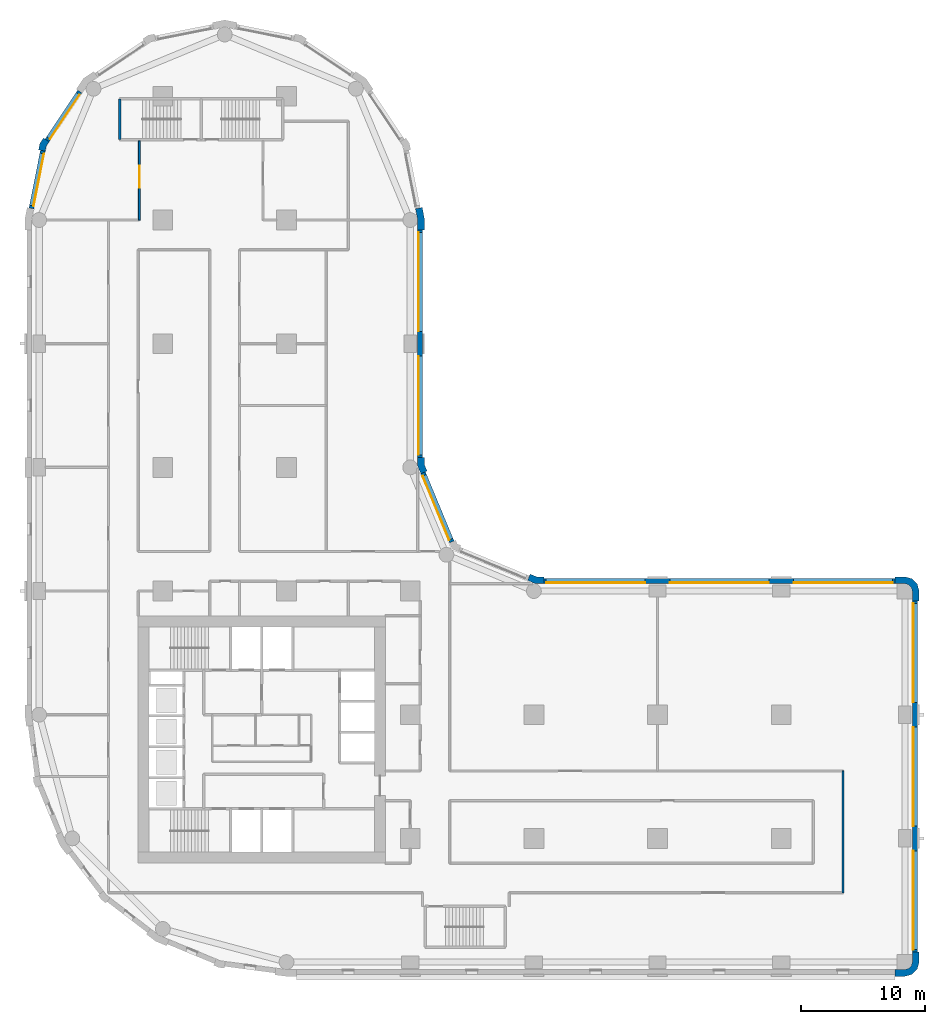
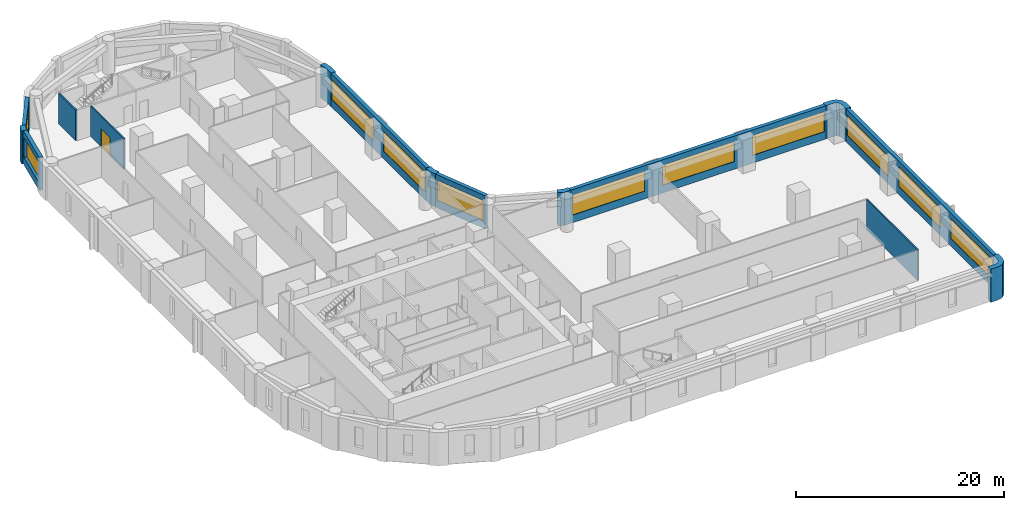
# One storey, part 6 of 10: 15 walls, 11 windows, 1 door, 12 openings.
"""IFC4 building model written with IfcOpenShell, lengths in metres."""

from ifc_helpers import new_model, si_unit, direction, frame, frame_2d, origin, place, context, subcontext, project, spatial, polyline, rectangle, outline, extrude, material, layer, layer_set, type_object, element, fill, save


model = new_model("IFC4")

# Units and contexts
model_context = context("Model", 3, precision=1e-05, world=origin(), true_north=direction((0.0, 1.0)))
body_context = subcontext(model_context, "Body", "Model", "MODEL_VIEW")
ifc_project = project(units=[si_unit("LENGTHUNIT", "METRE"), si_unit("AREAUNIT", "SQUARE_METRE"), si_unit("VOLUMEUNIT", "CUBIC_METRE"), si_unit("PLANEANGLEUNIT", "RADIAN"), si_unit("MASSUNIT", "GRAM", prefix="KILO")], contexts=[model_context])

# Site, building, storey
site_placement = place(None, origin())
site = spatial("IfcSite", under=ifc_project, at=site_placement, CompositionType="ELEMENT")
building_placement = place(site_placement, origin())
building = spatial("IfcBuilding", under=site, at=building_placement, Name="Qaws Garden Tower", CompositionType="ELEMENT")
storey_placement = place(building_placement, frame((0.0, 0.0, 62.699951171875)))
storey = spatial("IfcBuildingStorey", under=building, at=storey_placement, Name="L15", CompositionType="ELEMENT", Elevation=62.699951171875)

# Walls
ifc_material_1 = material(Name="Clay facing brick masonry", Category="masonry")
ifc_layer_1 = layer(ifc_material_1, 0.550048828125)
ifc_layer_set_1 = layer_set([ifc_layer_1], Name="Clay facing brick masonry")
wall_type_1 = type_object("IfcWallType", Name="Brick corner pier 550 x 2400", PredefinedType="SOLIDWALL", material=ifc_layer_set_1)
placement = place(storey_placement, origin())
element("IfcWall", 1, at=placement, inside=storey, type_object=wall_type_1, Name="E-L15-pier-05", PredefinedType="SOLIDWALL", context=body_context, shape_type="SweptSolid", body=[
    extrude(outline(polyline([(69.199951171875, -1.0), (69.199951171875, -1.14990234375), (70.0, -1.14990234375), (70.574951171875, -0.995849609375), (70.995849609375, -0.574951171875), (71.14990234375, 0.0), (71.14990234375, 0.800048828125), (71.0, 0.800048828125), (70.60009765625, 0.800048828125), (70.60009765625, 0.0), (70.51953125, -0.300048828125), (70.300048828125, -0.51953125), (70.0, -0.60009765625), (69.199951171875, -0.60009765625), (69.199951171875, -1.0)])), origin(), (0.0, 0.0, 1.0), 3.900146484375),
])
element("IfcWall", 2, at=placement, inside=storey, type_object=wall_type_1, Name="E-L15-pier-08", PredefinedType="SOLIDWALL", context=body_context, shape_type="SweptSolid", body=[
    extrude(outline(polyline([(71.0, 29.199951171875), (71.14990234375, 29.199951171875), (71.14990234375, 30.0), (70.995849609375, 30.574951171875), (70.574951171875, 30.995849609375), (70.0, 31.14990234375), (69.199951171875, 31.14990234375), (69.199951171875, 31.0), (69.199951171875, 30.60009765625), (70.0, 30.60009765625), (70.300048828125, 30.51953125), (70.51953125, 30.300048828125), (70.60009765625, 30.0), (70.60009765625, 29.199951171875), (71.0, 29.199951171875)])), origin(), (0.0, 0.0, 1.0), 3.900146484375),
])

# Wall, openings, windows
ifc_material_2 = material(Name="Clay facing brick masonry", Category="masonry")
ifc_layer_2 = layer(ifc_material_2, 0.39990234375)
ifc_layer_set_2 = layer_set([ifc_layer_2], Name="Clay facing brick masonry")
wall_type_2 = type_object("IfcWallType", Name="Brick infill wall 400", PredefinedType="SOLIDWALL", material=ifc_layer_set_2)
wall_3_placement = place(storey_placement, frame((70.800048828125, 0.800048828125, 0.0), z_axis=(0.0, 0.0, 1.0), x_axis=(0.0, 1.0, 0.0)))
wall_3 = element("IfcWall", 3, at=wall_3_placement, inside=storey, type_object=wall_type_2, Name="E-L15-infill-05", PredefinedType="SOLIDWALL", context=body_context, shape_type="SweptSolid", body=[
    extrude(rectangle(XDim=28.39990234375, YDim=0.39990234375, at=frame_2d((14.199951171875, 0.0))), origin(), (0.0, 0.0, 1.0), 3.900146484375),
])
opening_1_placement = place(wall_3_placement, frame((0.199951171875, 0.0, 0.89990234375)))
opening_1 = element("IfcOpeningElement", 4, at=opening_1_placement, cuts=wall_3, Name="Opening W01", PredefinedType="OPENING", context=body_context, shape_type="SweptSolid", body=[
    extrude(rectangle(XDim=8.0, YDim=2.35009765625, at=frame_2d((4.0, 1.175048828125))), frame((0.0, 0.2099609375, 0.0), z_axis=(0.0, -1.0, 0.0), x_axis=(1.0, 0.0, 0.0)), (0.0, 0.0, 1.0), 0.419921875),
])
opening_2_placement = place(wall_3_placement, frame((10.199951171875, 0.0, 0.89990234375)))
opening_2 = element("IfcOpeningElement", 5, at=opening_2_placement, cuts=wall_3, Name="Opening W01", PredefinedType="OPENING", context=body_context, shape_type="SweptSolid", body=[
    extrude(rectangle(XDim=8.0, YDim=2.35009765625, at=frame_2d((4.0, 1.175048828125))), frame((0.0, 0.2099609375, 0.0), z_axis=(0.0, -1.0, 0.0), x_axis=(1.0, 0.0, 0.0)), (0.0, 0.0, 1.0), 0.419921875),
])
opening_3_placement = place(wall_3_placement, frame((20.199951171875, 0.0, 0.89990234375)))
opening_3 = element("IfcOpeningElement", 6, at=opening_3_placement, cuts=wall_3, Name="Opening W01", PredefinedType="OPENING", context=body_context, shape_type="SweptSolid", body=[
    extrude(rectangle(XDim=8.0, YDim=2.35009765625, at=frame_2d((4.0, 1.175048828125))), frame((0.0, 0.2099609375, 0.0), z_axis=(0.0, -1.0, 0.0), x_axis=(1.0, 0.0, 0.0)), (0.0, 0.0, 1.0), 0.419921875),
])
ifc_material_3 = material(Name="Aluminium framed window, clear glazing", Category="aluminium")
window_type_1 = type_object("IfcWindowType", Name="Ribbon window 8000 x 2350", PartitioningType="DOUBLE_PANEL_VERTICAL", PredefinedType="WINDOW", material=ifc_material_3)
window_1_placement = place(opening_1_placement, origin())
window_1 = element("IfcWindow", 7, at=window_1_placement, inside=storey, type_object=window_type_1, Name="E-L15-window-05-0", OverallHeight=2.35009765625, OverallWidth=8.0, PartitioningType="SINGLE_PANEL", PredefinedType="WINDOW", context=body_context, shape_type="SweptSolid", body=[
    extrude(rectangle(XDim=8.0, YDim=2.35009765625, at=frame_2d((4.0, 1.175048828125))), frame((0.0, 0.159912109375, 0.0), z_axis=(0.0, -1.0, 0.0), x_axis=(1.0, 0.0, 0.0)), (0.0, 0.0, 1.0), 0.06005859375),
])
fill(opening_1, window_1)
window_2_placement = place(opening_2_placement, origin())
window_2 = element("IfcWindow", 8, at=window_2_placement, inside=storey, type_object=window_type_1, Name="E-L15-window-06-0", OverallHeight=2.35009765625, OverallWidth=8.0, PartitioningType="SINGLE_PANEL", PredefinedType="WINDOW", context=body_context, shape_type="SweptSolid", body=[
    extrude(rectangle(XDim=8.0, YDim=2.35009765625, at=frame_2d((4.0, 1.175048828125))), frame((0.0, 0.159912109375, 0.0), z_axis=(0.0, -1.0, 0.0), x_axis=(1.0, 0.0, 0.0)), (0.0, 0.0, 1.0), 0.06005859375),
])
fill(opening_2, window_2)
window_3_placement = place(opening_3_placement, origin())
window_3 = element("IfcWindow", 9, at=window_3_placement, inside=storey, type_object=window_type_1, Name="E-L15-window-07-0", OverallHeight=2.35009765625, OverallWidth=8.0, PartitioningType="SINGLE_PANEL", PredefinedType="WINDOW", context=body_context, shape_type="SweptSolid", body=[
    extrude(rectangle(XDim=8.0, YDim=2.35009765625, at=frame_2d((4.0, 1.175048828125))), frame((0.0, 0.159912109375, 0.0), z_axis=(0.0, -1.0, 0.0), x_axis=(1.0, 0.0, 0.0)), (0.0, 0.0, 1.0), 0.06005859375),
])
fill(opening_3, window_3)

wall_4_placement = place(storey_placement, frame((69.199951171875, 30.800048828125, 0.0), z_axis=(0.0, 0.0, 1.0), x_axis=(-1.0, 0.0, 0.0)))
wall_4 = element("IfcWall", 10, at=wall_4_placement, inside=storey, type_object=wall_type_2, Name="E-L15-infill-08", PredefinedType="SOLIDWALL", context=body_context, shape_type="SweptSolid", body=[
    extrude(rectangle(XDim=28.39990234375, YDim=0.39990234375, at=frame_2d((14.199951171875, 0.0))), origin(), (0.0, 0.0, 1.0), 3.900146484375),
])
opening_4_placement = place(wall_4_placement, frame((0.199951171875, 0.0, 0.89990234375)))
opening_4 = element("IfcOpeningElement", 11, at=opening_4_placement, cuts=wall_4, Name="Opening W01", PredefinedType="OPENING", context=body_context, shape_type="SweptSolid", body=[
    extrude(rectangle(XDim=8.0, YDim=2.35009765625, at=frame_2d((4.0, 1.175048828125))), frame((0.0, 0.2099609375, 0.0), z_axis=(0.0, -1.0, 0.0), x_axis=(1.0, 0.0, 0.0)), (0.0, 0.0, 1.0), 0.419921875),
])
opening_5_placement = place(wall_4_placement, frame((10.199951171875, 0.0, 0.89990234375)))
opening_5 = element("IfcOpeningElement", 12, at=opening_5_placement, cuts=wall_4, Name="Opening W01", PredefinedType="OPENING", context=body_context, shape_type="SweptSolid", body=[
    extrude(rectangle(XDim=8.0, YDim=2.35009765625, at=frame_2d((4.0, 1.175048828125))), frame((0.0, 0.2099609375, 0.0), z_axis=(0.0, -1.0, 0.0), x_axis=(1.0, 0.0, 0.0)), (0.0, 0.0, 1.0), 0.419921875),
])
opening_6_placement = place(wall_4_placement, frame((20.199951171875, 0.0, 0.89990234375)))
opening_6 = element("IfcOpeningElement", 13, at=opening_6_placement, cuts=wall_4, Name="Opening W01", PredefinedType="OPENING", context=body_context, shape_type="SweptSolid", body=[
    extrude(rectangle(XDim=8.0, YDim=2.35009765625, at=frame_2d((4.0, 1.175048828125))), frame((0.0, 0.2099609375, 0.0), z_axis=(0.0, -1.0, 0.0), x_axis=(1.0, 0.0, 0.0)), (0.0, 0.0, 1.0), 0.419921875),
])
window_4_placement = place(opening_4_placement, origin())
window_4 = element("IfcWindow", 14, at=window_4_placement, inside=storey, type_object=window_type_1, Name="E-L15-window-08-0", OverallHeight=2.35009765625, OverallWidth=8.0, PartitioningType="SINGLE_PANEL", PredefinedType="WINDOW", context=body_context, shape_type="SweptSolid", body=[
    extrude(rectangle(XDim=8.0, YDim=2.35009765625, at=frame_2d((4.0, 1.175048828125))), frame((0.0, 0.159912109375, 0.0), z_axis=(0.0, -1.0, 0.0), x_axis=(1.0, 0.0, 0.0)), (0.0, 0.0, 1.0), 0.06005859375),
])
fill(opening_4, window_4)
window_5_placement = place(opening_5_placement, origin())
window_5 = element("IfcWindow", 15, at=window_5_placement, inside=storey, type_object=window_type_1, Name="E-L15-window-09-0", OverallHeight=2.35009765625, OverallWidth=8.0, PartitioningType="SINGLE_PANEL", PredefinedType="WINDOW", context=body_context, shape_type="SweptSolid", body=[
    extrude(rectangle(XDim=8.0, YDim=2.35009765625, at=frame_2d((4.0, 1.175048828125))), frame((0.0, 0.159912109375, 0.0), z_axis=(0.0, -1.0, 0.0), x_axis=(1.0, 0.0, 0.0)), (0.0, 0.0, 1.0), 0.06005859375),
])
fill(opening_5, window_5)
window_6_placement = place(opening_6_placement, origin())
window_6 = element("IfcWindow", 16, at=window_6_placement, inside=storey, type_object=window_type_1, Name="E-L15-window-10-0", OverallHeight=2.35009765625, OverallWidth=8.0, PartitioningType="SINGLE_PANEL", PredefinedType="WINDOW", context=body_context, shape_type="SweptSolid", body=[
    extrude(rectangle(XDim=8.0, YDim=2.35009765625, at=frame_2d((4.0, 1.175048828125))), frame((0.0, 0.159912109375, 0.0), z_axis=(0.0, -1.0, 0.0), x_axis=(1.0, 0.0, 0.0)), (0.0, 0.0, 1.0), 0.06005859375),
])
fill(opening_6, window_6)

# Wall, opening, window
wall_5_placement = place(storey_placement, frame((33.36181640625, 33.97412109375, 0.0), z_axis=(0.0, 0.0, 1.0), x_axis=(-0.382655745237, 0.923891000409, 0.0)))
wall_5 = element("IfcWall", 17, at=wall_5_placement, inside=storey, type_object=wall_type_2, Name="E-L15-infill-12", PredefinedType="SOLIDWALL", context=body_context, shape_type="SweptSolid", body=[
    extrude(rectangle(XDim=6.053466796875, YDim=0.39990234375, at=frame_2d((3.02685546875, 0.0))), origin(), (0.0, 0.0, 1.0), 3.900146484375),
])
opening_7_placement = place(wall_5_placement, frame((0.226806640625, 0.0, 0.89990234375)))
opening_7 = element("IfcOpeningElement", 18, at=opening_7_placement, cuts=wall_5, Name="Opening W04", PredefinedType="OPENING", context=body_context, shape_type="SweptSolid", body=[
    extrude(rectangle(XDim=5.60009765625, YDim=2.35009765625, at=frame_2d((2.800048828125, 1.175048828125))), frame((0.0, 0.2099609375, 0.0), z_axis=(0.0, -1.0, 0.0), x_axis=(1.0, 0.0, 0.0)), (0.0, 0.0, 1.0), 0.419921875),
])
ifc_material_4 = material(Name="Aluminium framed window, clear glazing", Category="aluminium")
window_type_2 = type_object("IfcWindowType", Name="Ribbon window 5600 x 2350", PartitioningType="DOUBLE_PANEL_VERTICAL", PredefinedType="WINDOW", material=ifc_material_4)
window_7_placement = place(opening_7_placement, origin())
window_7 = element("IfcWindow", 19, at=window_7_placement, inside=storey, type_object=window_type_2, Name="E-L15-window-12-0", OverallHeight=2.35009765625, OverallWidth=5.60009765625, PartitioningType="SINGLE_PANEL", PredefinedType="WINDOW", context=body_context, shape_type="SweptSolid", body=[
    extrude(rectangle(XDim=5.60009765625, YDim=2.35009765625, at=frame_2d((2.800048828125, 1.175048828125))), frame((0.0, 0.159912109375, 0.0), z_axis=(0.0, -1.0, 0.0), x_axis=(1.0, 0.0, 0.0)), (0.0, 0.0, 1.0), 0.06005859375),
])
fill(opening_7, window_7)

# Wall, openings, windows
wall_6_placement = place(storey_placement, frame((30.800048828125, 40.800048828125, 0.0), z_axis=(0.0, 0.0, 1.0), x_axis=(0.0, 1.0, 0.0)))
wall_6 = element("IfcWall", 20, at=wall_6_placement, inside=storey, type_object=wall_type_2, Name="E-L15-infill-13", PredefinedType="SOLIDWALL", context=body_context, shape_type="SweptSolid", body=[
    extrude(rectangle(XDim=18.39990234375, YDim=0.39990234375, at=frame_2d((9.199951171875, 0.0))), origin(), (0.0, 0.0, 1.0), 3.900146484375),
])
opening_8_placement = place(wall_6_placement, frame((0.199951171875, 0.0, 0.89990234375)))
opening_8 = element("IfcOpeningElement", 21, at=opening_8_placement, cuts=wall_6, Name="Opening W01", PredefinedType="OPENING", context=body_context, shape_type="SweptSolid", body=[
    extrude(rectangle(XDim=8.0, YDim=2.35009765625, at=frame_2d((4.0, 1.175048828125))), frame((0.0, 0.2099609375, 0.0), z_axis=(0.0, -1.0, 0.0), x_axis=(1.0, 0.0, 0.0)), (0.0, 0.0, 1.0), 0.419921875),
])
opening_9_placement = place(wall_6_placement, frame((10.199951171875, 0.0, 0.89990234375)))
opening_9 = element("IfcOpeningElement", 22, at=opening_9_placement, cuts=wall_6, Name="Opening W01", PredefinedType="OPENING", context=body_context, shape_type="SweptSolid", body=[
    extrude(rectangle(XDim=8.0, YDim=2.35009765625, at=frame_2d((4.0, 1.175048828125))), frame((0.0, 0.2099609375, 0.0), z_axis=(0.0, -1.0, 0.0), x_axis=(1.0, 0.0, 0.0)), (0.0, 0.0, 1.0), 0.419921875),
])
window_8_placement = place(opening_8_placement, origin())
window_8 = element("IfcWindow", 23, at=window_8_placement, inside=storey, type_object=window_type_1, Name="E-L15-window-13-0", OverallHeight=2.35009765625, OverallWidth=8.0, PartitioningType="SINGLE_PANEL", PredefinedType="WINDOW", context=body_context, shape_type="SweptSolid", body=[
    extrude(rectangle(XDim=8.0, YDim=2.35009765625, at=frame_2d((4.0, 1.175048828125))), frame((0.0, 0.159912109375, 0.0), z_axis=(0.0, -1.0, 0.0), x_axis=(1.0, 0.0, 0.0)), (0.0, 0.0, 1.0), 0.06005859375),
])
fill(opening_8, window_8)
window_9_placement = place(opening_9_placement, origin())
window_9 = element("IfcWindow", 24, at=window_9_placement, inside=storey, type_object=window_type_1, Name="E-L15-window-14-0", OverallHeight=2.35009765625, OverallWidth=8.0, PartitioningType="SINGLE_PANEL", PredefinedType="WINDOW", context=body_context, shape_type="SweptSolid", body=[
    extrude(rectangle(XDim=8.0, YDim=2.35009765625, at=frame_2d((4.0, 1.175048828125))), frame((0.0, 0.159912109375, 0.0), z_axis=(0.0, -1.0, 0.0), x_axis=(1.0, 0.0, 0.0)), (0.0, 0.0, 1.0), 0.06005859375),
])
fill(opening_9, window_9)

# Wall, opening, window
wall_7_placement = place(storey_placement, frame((3.28369140625, 70.385986328125, 0.0), z_axis=(0.0, 0.0, 1.0), x_axis=(-0.555541552266, -0.831488775454, 0.0)))
wall_7 = element("IfcWall", 25, at=wall_7_placement, inside=storey, type_object=wall_type_2, Name="E-L15-infill-21", PredefinedType="SOLIDWALL", context=body_context, shape_type="SweptSolid", body=[
    extrude(rectangle(XDim=4.752685546875, YDim=0.39990234375, at=frame_2d((2.37646484375, 0.0))), origin(), (0.0, 0.0, 1.0), 3.900146484375),
])
opening_10_placement = place(wall_7_placement, frame((0.226318359375, 0.0, 0.89990234375)))
opening_10 = element("IfcOpeningElement", 26, at=opening_10_placement, cuts=wall_7, Name="Opening W06", PredefinedType="OPENING", context=body_context, shape_type="SweptSolid", body=[
    extrude(rectangle(XDim=4.300048828125, YDim=2.35009765625, at=frame_2d((2.14990234375, 1.175048828125))), frame((0.0, 0.2099609375, 0.0), z_axis=(0.0, -1.0, 0.0), x_axis=(1.0, 0.0, 0.0)), (0.0, 0.0, 1.0), 0.419921875),
])
ifc_material_5 = material(Name="Aluminium framed window, clear glazing", Category="aluminium")
window_type_3 = type_object("IfcWindowType", Name="Ribbon window 4300 x 2350", PartitioningType="DOUBLE_PANEL_VERTICAL", PredefinedType="WINDOW", material=ifc_material_5)
window_10_placement = place(opening_10_placement, origin())
window_10 = element("IfcWindow", 27, at=window_10_placement, inside=storey, type_object=window_type_3, Name="E-L15-window-21-0", OverallHeight=2.35009765625, OverallWidth=4.300048828125, PartitioningType="SINGLE_PANEL", PredefinedType="WINDOW", context=body_context, shape_type="SweptSolid", body=[
    extrude(rectangle(XDim=4.300048828125, YDim=2.35009765625, at=frame_2d((2.14990234375, 1.175048828125))), frame((0.0, 0.159912109375, 0.0), z_axis=(0.0, -1.0, 0.0), x_axis=(1.0, 0.0, 0.0)), (0.0, 0.0, 1.0), 0.06005859375),
])
fill(opening_10, window_10)

wall_8_placement = place(storey_placement, frame((0.298583984375, 65.60205078125, 0.0), z_axis=(0.0, 0.0, 1.0), x_axis=(-0.195098533057, -0.98078364709, 0.0)))
wall_8 = element("IfcWall", 28, at=wall_8_placement, inside=storey, type_object=wall_type_2, Name="E-L15-infill-22", PredefinedType="SOLIDWALL", context=body_context, shape_type="SweptSolid", body=[
    extrude(rectangle(XDim=4.752685546875, YDim=0.39990234375, at=frame_2d((2.37646484375, 0.0))), origin(), (0.0, 0.0, 1.0), 3.900146484375),
])
opening_11_placement = place(wall_8_placement, frame((0.226318359375, 0.0, 0.89990234375)))
opening_11 = element("IfcOpeningElement", 29, at=opening_11_placement, cuts=wall_8, Name="Opening W06", PredefinedType="OPENING", context=body_context, shape_type="SweptSolid", body=[
    extrude(rectangle(XDim=4.300048828125, YDim=2.35009765625, at=frame_2d((2.14990234375, 1.175048828125))), frame((0.0, 0.2099609375, 0.0), z_axis=(0.0, -1.0, 0.0), x_axis=(1.0, 0.0, 0.0)), (0.0, 0.0, 1.0), 0.419921875),
])
window_11_placement = place(opening_11_placement, origin())
window_11 = element("IfcWindow", 30, at=window_11_placement, inside=storey, type_object=window_type_3, Name="E-L15-window-22-0", OverallHeight=2.35009765625, OverallWidth=4.300048828125, PartitioningType="SINGLE_PANEL", PredefinedType="WINDOW", context=body_context, shape_type="SweptSolid", body=[
    extrude(rectangle(XDim=4.300048828125, YDim=2.35009765625, at=frame_2d((2.14990234375, 1.175048828125))), frame((0.0, 0.159912109375, 0.0), z_axis=(0.0, -1.0, 0.0), x_axis=(1.0, 0.0, 0.0)), (0.0, 0.0, 1.0), 0.06005859375),
])
fill(opening_11, window_11)

# Walls
ifc_material_6 = material(Name="Clay facing brick masonry", Category="masonry")
ifc_layer_3 = layer(ifc_material_6, 0.550048828125)
ifc_layer_set_3 = layer_set([ifc_layer_3], Name="Clay facing brick masonry")
wall_type_3 = type_object("IfcWallType", Name="Brick kink pier 550 x 600", PredefinedType="SOLIDWALL", material=ifc_layer_set_3)
element("IfcWall", 31, at=placement, inside=storey, type_object=wall_type_3, Name="E-L15-pier-22", PredefinedType="SOLIDWALL", context=body_context, shape_type="SweptSolid", body=[
    extrude(outline(polyline([(0.47705078125, 66.545166015625), (0.352294921875, 66.628662109375), (0.05859375, 66.18896484375), (-0.044677734375, 65.67041015625), (0.1025390625, 65.64111328125), (0.494873046875, 65.56298828125), (0.57666015625, 65.974365234375), (0.8095703125, 66.322998046875), (0.47705078125, 66.545166015625)])), origin(), (0.0, 0.0, 1.0), 3.900146484375),
])
ifc_material_7 = material(Name="Clay facing brick masonry", Category="masonry")
ifc_layer_4 = layer(ifc_material_7, 0.550048828125)
ifc_layer_set_4 = layer_set([ifc_layer_4], Name="Clay facing brick masonry")
wall_type_4 = type_object("IfcWallType", Name="Brick pier 550 x 1600", PredefinedType="SOLIDWALL", material=ifc_layer_set_4)
element("IfcWall", 32, at=placement, inside=storey, type_object=wall_type_4, Name="E-L15-pier-11", PredefinedType="SOLIDWALL", context=body_context, shape_type="SweptSolid", body=[
    extrude(outline(polyline([(40.800048828125, 31.0), (40.800048828125, 31.14990234375), (40.228759765625, 31.14990234375), (39.700927734375, 31.36865234375), (39.6435546875, 31.22998046875), (39.490478515625, 30.860595703125), (40.119384765625, 30.60009765625), (40.800048828125, 30.60009765625), (40.800048828125, 31.0)])), origin(), (0.0, 0.0, 1.0), 3.900146484375),
])
element("IfcWall", 33, at=placement, inside=storey, type_object=wall_type_4, Name="E-L15-pier-13", PredefinedType="SOLIDWALL", context=body_context, shape_type="SweptSolid", body=[
    extrude(outline(polyline([(31.22998046875, 39.6435546875), (31.36865234375, 39.700927734375), (31.14990234375, 40.228759765625), (31.14990234375, 40.800048828125), (31.0, 40.800048828125), (30.60009765625, 40.800048828125), (30.60009765625, 40.119384765625), (30.860595703125, 39.490478515625), (31.22998046875, 39.6435546875)])), origin(), (0.0, 0.0, 1.0), 3.900146484375),
])
element("IfcWall", 34, at=placement, inside=storey, type_object=wall_type_4, Name="E-L15-pier-15", PredefinedType="SOLIDWALL", context=body_context, shape_type="SweptSolid", body=[
    extrude(outline(polyline([(31.0, 59.199951171875), (31.14990234375, 59.199951171875), (31.14990234375, 60.11328125), (30.971923828125, 61.009033203125), (30.82470703125, 60.979736328125), (30.432373046875, 60.901611328125), (30.60009765625, 60.05908203125), (30.60009765625, 59.199951171875), (31.0, 59.199951171875)])), origin(), (0.0, 0.0, 1.0), 3.900146484375),
])
ifc_material_8 = material(Name="Concrete C80", Category="concrete")
ifc_layer_5 = layer(ifc_material_8, 0.199951171875)
ifc_layer_set_5 = layer_set([ifc_layer_5], Name="Concrete C80")
wall_type_5 = type_object("IfcWallType", Name="Core shaft wall 200 C80", PredefinedType="SHEAR", material=ifc_layer_set_5)
wall_13_placement = place(storey_placement, frame((6.5, 66.5, 0.0), z_axis=(0.0, 0.0, 1.0), x_axis=(0.0, 1.0, 0.0)))
element("IfcWall", 35, at=wall_13_placement, inside=storey, type_object=wall_type_5, Name="Shaft wall", PredefinedType="SHEAR", context=body_context, shape_type="SweptSolid", body=[
    extrude(rectangle(XDim=3.300048828125, YDim=0.199951171875, at=frame_2d((1.64990234375, 0.0))), origin(), (0.0, 0.0, 1.0), 3.580078125),
])

# Wall, opening, door
ifc_material_9 = material(Name="Gypsum board partition")
ifc_layer_6 = layer(ifc_material_9, 0.14990234375)
ifc_layer_set_6 = layer_set([ifc_layer_6], Name="Gypsum board partition")
wall_type_6 = type_object("IfcWallType", Name="PARTITION 150 EI 60", PredefinedType="PARTITIONING", material=ifc_layer_set_6)
wall_14_placement = place(storey_placement, frame((8.10009765625, 60.0, 0.0), z_axis=(0.0, 0.0, 1.0), x_axis=(0.0, 1.0, 0.0)))
wall_14 = element("IfcWall", 36, at=wall_14_placement, inside=storey, type_object=wall_type_6, Name="O-L15-wall-004", PredefinedType="PARTITIONING", context=body_context, shape_type="SweptSolid", body=[
    extrude(rectangle(XDim=6.39990234375, YDim=0.14990234375, at=frame_2d((3.199951171875, 0.0))), origin(), (0.0, 0.0, 1.0), 3.580078125),
])
opening_12_placement = place(wall_14_placement, frame((2.60009765625, 0.0, 0.0)))
opening_12 = element("IfcOpeningElement", 37, at=opening_12_placement, cuts=wall_14, Name="Opening A514", PredefinedType="OPENING", context=body_context, shape_type="SweptSolid", body=[
    extrude(rectangle(XDim=1.800048828125, YDim=2.10009765625, at=frame_2d((0.89990234375, 1.050048828125))), frame((0.0, 0.0849609375, 0.0), z_axis=(0.0, -1.0, 0.0), x_axis=(1.0, 0.0, 0.0)), (0.0, 0.0, 1.0), 0.169921875),
])
ifc_material_10 = material(Name="Timber door leaf", Category="wood")
door_type = type_object("IfcDoorType", Name="DOUBLE DOOR 1800 X 2100", OperationType="DOUBLE_DOOR_SINGLE_SWING", PredefinedType="DOOR", material=ifc_material_10)
door_placement = place(opening_12_placement, origin())
door = element("IfcDoor", 38, at=door_placement, inside=storey, type_object=door_type, Name="O-L15-door-014", OperationType="DOUBLE_DOOR_SINGLE_SWING", OverallHeight=2.10009765625, OverallWidth=1.800048828125, PredefinedType="DOOR", context=body_context, shape_type="SweptSolid", body=[
    extrude(rectangle(XDim=1.800048828125, YDim=2.10009765625, at=frame_2d((0.89990234375, 1.050048828125))), frame((0.0, 0.02490234375, 0.0), z_axis=(0.0, -1.0, 0.0), x_axis=(1.0, 0.0, 0.0)), (0.0, 0.0, 1.0), 0.050048828125),
])
fill(opening_12, door)

# Wall
wall_15_placement = place(storey_placement, frame((65.0, 5.60009765625, 0.0), z_axis=(0.0, 0.0, 1.0), x_axis=(0.0, 1.0, 0.0)))
element("IfcWall", 39, at=wall_15_placement, inside=storey, type_object=wall_type_6, Name="O-L15-wall-025", PredefinedType="PARTITIONING", context=body_context, shape_type="SweptSolid", body=[
    extrude(rectangle(XDim=9.849853515625, YDim=0.14990234375, at=frame_2d((4.9248046875, 0.0))), origin(), (0.0, 0.0, 1.0), 3.580078125),
])

save(model, "model.ifc")
